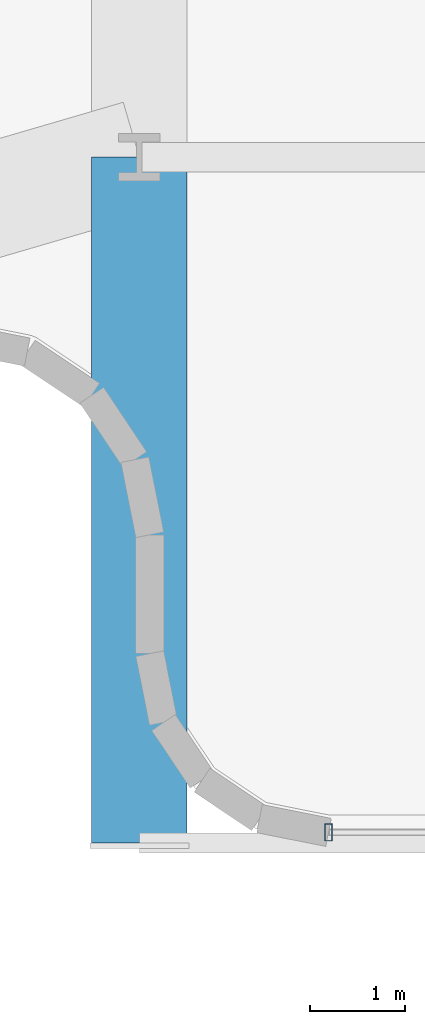
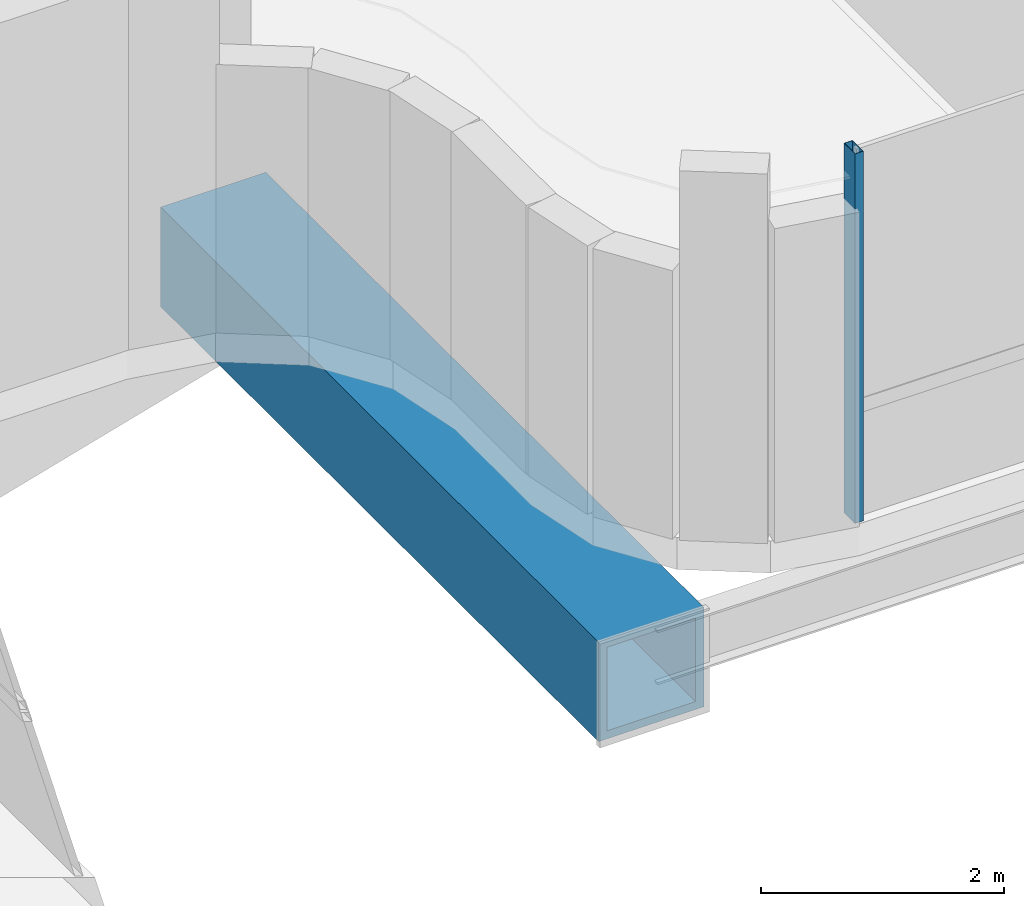
# One storey, part 7 of 35: 1 beam, 1 member, 1 element without a shape of its own.
"""IFC4 building model written with IfcOpenShell, lengths in metres."""

from ifc_helpers import new_model, si_unit, direction, frame, origin, origin_2d, place, context, subcontext, project, spatial, hollow_rectangle, extrude, source, transform, mapped, material, material_profile, profile_set, type_object, element, aggregate, save


model = new_model("IFC4")

# Units and contexts
model_context = context("Model", 3, precision=1e-05, world=origin(), true_north=direction((0.0, 1.0)))
body_context = subcontext(model_context, "Body", "Model", "MODEL_VIEW")
ifc_project = project(units=[si_unit("LENGTHUNIT", "METRE"), si_unit("AREAUNIT", "SQUARE_METRE"), si_unit("VOLUMEUNIT", "CUBIC_METRE"), si_unit("PLANEANGLEUNIT", "RADIAN"), si_unit("MASSUNIT", "GRAM", prefix="KILO")], contexts=[model_context])

# Site, building, storey
site_placement = place(None, origin())
site = spatial("IfcSite", under=ifc_project, at=site_placement, CompositionType="ELEMENT")
building_placement = place(site_placement, origin())
building = spatial("IfcBuilding", under=site, at=building_placement, Name="Valdorenza Pilgrim Sanctuary Tower", CompositionType="ELEMENT")
storey_placement = place(building_placement, frame((0.0, 0.0, 192.35009765625)))
storey = spatial("IfcBuildingStorey", under=building, at=storey_placement, Name="L49", CompositionType="ELEMENT", Elevation=192.35009765625)

# Beam
ifc_material_1 = material(Name="Steel ASTM A572 Grade 42", Category="steel")
ifc_material_profile_1 = material_profile(ifc_material_1, hollow_rectangle(XDim=1.0, YDim=1.0, WallThickness=0.080078125, at=origin_2d()), Name="BOX 1000x1000x80")
ifc_profile_set_1 = profile_set([ifc_material_profile_1], Name="Steel ASTM A572 Grade 42")
beam_type = type_object("IfcBeamType", Name="STR-BM-PROW-CANT", PredefinedType="BEAM", material=ifc_profile_set_1)
shared_shape_1 = source(origin(), body_context, "Body", "SweptSolid", [
    extrude(hollow_rectangle(XDim=1.0, YDim=1.0, WallThickness=0.080078125, at=origin_2d()), origin(), (0.0, 0.0, 1.0), 7.199951171875),
])
beam_placement = place(storey_placement, frame((-3.5, 0.0, -0.820068359375), z_axis=(0.0, -1.0, 0.0), x_axis=(1.0, 0.0, 0.0)))
element("IfcBeam", 1, at=beam_placement, inside=storey, type_object=beam_type, Name="L49 South Sanctuary Prow Cantilever PROW-CANT-S-W", PredefinedType="BEAM", context=body_context, shape_type="MappedRepresentation", body=[
    mapped(shared_shape_1, transform((0.0, 0.0, 0.0), x_axis=(1.0, 0.0, 0.0), y_axis=(0.0, 1.0, 0.0), z_axis=(0.0, 0.0, 1.0), scale=1.0)),
])

# Curtain wall, member
ifc_material_2 = material(Name="Curtain-wall IGU glazing", Category="glass")
curtain_wall_type = type_object("IfcCurtainWallType", Name="CW-SYS-05", PredefinedType="NOTDEFINED", material=ifc_material_2)
curtain_wall_placement = place(storey_placement, origin())
curtain_wall = element("IfcCurtainWall", 2, at=curtain_wall_placement, inside=storey, type_object=curtain_wall_type, Name="L49 Curtain Wall CW-L49-1-62", PredefinedType="NOTDEFINED")
ifc_material_3 = material(Name="Anodised aluminium AW-6060", Category="aluminium")
ifc_material_profile_2 = material_profile(ifc_material_3, hollow_rectangle(XDim=0.080078125, YDim=0.179931640625, WallThickness=0.00439453125, at=origin_2d()), Name="ALU-M 180x80x4.5")
ifc_profile_set_2 = profile_set([ifc_material_profile_2], Name="Anodised aluminium AW-6060")
member_type = type_object("IfcMemberType", Name="CW-MUL-05", PredefinedType="MULLION", material=ifc_profile_set_2)
shared_shape_2 = source(origin(), body_context, "Body", "SweptSolid", [
    extrude(hollow_rectangle(XDim=0.080078125, YDim=0.179931640625, WallThickness=0.00439453125, at=origin_2d()), origin(), (0.0, 0.0, 1.0), 3.7099609375),
])
member_placement = place(storey_placement, frame((-1.51318359375, -7.090087890625, 0.0), z_axis=(0.0, 0.0, 1.0), x_axis=(-1.0, 0.0, 0.0)))
member = element("IfcMember", 3, at=member_placement, type_object=member_type, Name="CW-L49-1-62 Mullion 3", PredefinedType="MULLION", context=body_context, shape_type="MappedRepresentation", body=[
    mapped(shared_shape_2, transform((0.0, 0.0, 0.0), x_axis=(1.0, 0.0, 0.0), y_axis=(0.0, 1.0, 0.0), z_axis=(0.0, 0.0, 1.0), scale=1.0)),
])
aggregate(curtain_wall, [member])

save(model, "model.ifc")
